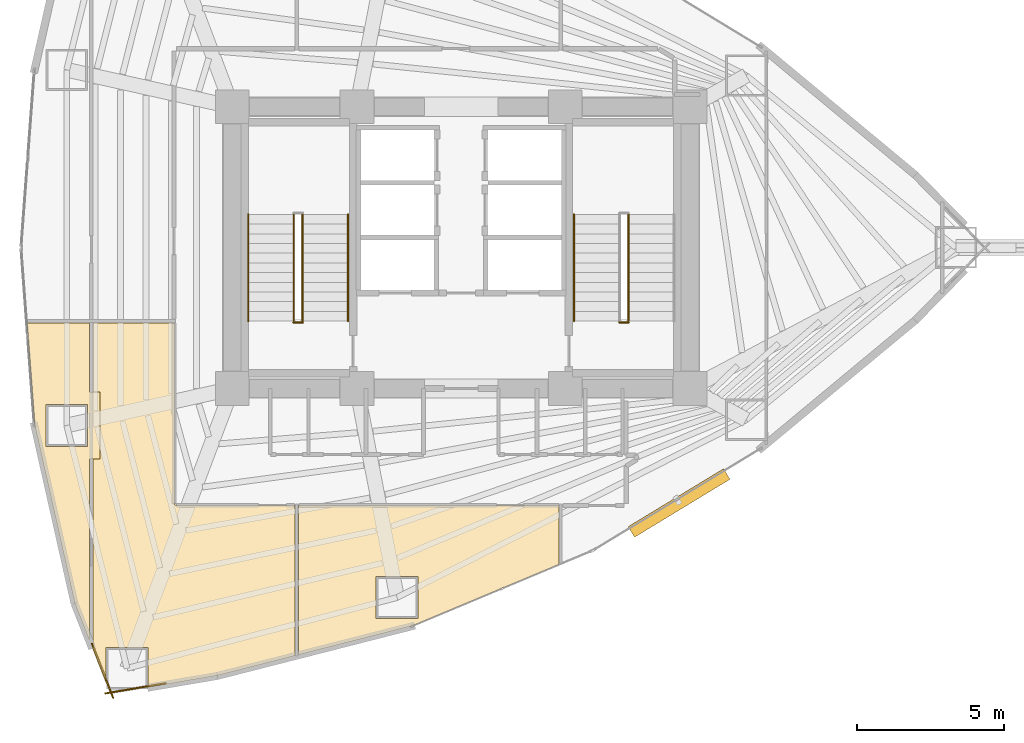
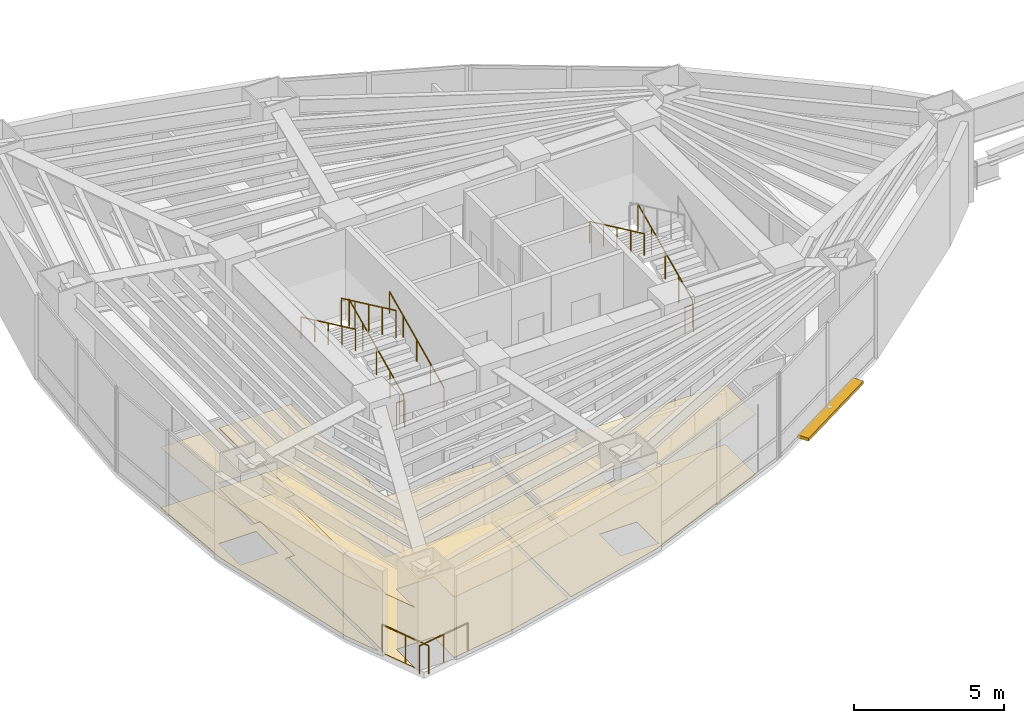
# One storey, part 17 of 18: 10 railings, 6 coverings, 1 shading device.
"""IFC4 building model written with IfcOpenShell, lengths in metres."""

from ifc_helpers import new_model, si_unit, direction, frame, origin, origin_2d, place, context, subcontext, project, spatial, polyline, rectangle, circle, outline, extrude, material, layer, layer_set, type_object, element, save


model = new_model("IFC4")

# Units and contexts
model_context = context("Model", 3, precision=1e-05, world=origin(), true_north=direction((0.0, 1.0)))
body_context = subcontext(model_context, "Body", "Model", "MODEL_VIEW")
ifc_project = project(units=[si_unit("LENGTHUNIT", "METRE"), si_unit("AREAUNIT", "SQUARE_METRE"), si_unit("VOLUMEUNIT", "CUBIC_METRE"), si_unit("PLANEANGLEUNIT", "RADIAN"), si_unit("MASSUNIT", "GRAM", prefix="KILO")], contexts=[model_context])

# Site, building, storey
site_placement = place(None, origin())
site = spatial("IfcSite", under=ifc_project, at=site_placement, CompositionType="ELEMENT")
building_placement = place(site_placement, origin())
building = spatial("IfcBuilding", under=site, at=building_placement, Name="Menara Vayukalpa", CompositionType="ELEMENT")
storey_placement = place(building_placement, frame((0.0, 0.0, 53.639892578125)))
storey = spatial("IfcBuildingStorey", under=building, at=storey_placement, Name="L12", CompositionType="ELEMENT", Elevation=53.639892578125)

# Coverings
ifc_material_1 = material(Name="Mineral Fibre Acoustic Ceiling Tile", Category="masonry")
ifc_layer_1 = layer(ifc_material_1, 0.02490234375)
ifc_layer_set_1 = layer_set([ifc_layer_1], Name="Mineral Fibre Acoustic Ceiling Tile")
covering_type_1 = type_object("IfcCoveringType", Name="COV-CLG1", PredefinedType="CEILING", material=ifc_layer_set_1)
covering_1_placement = place(storey_placement, frame((0.0, 0.0, 2.4501953125)))
element("IfcCovering", 1, at=covering_1_placement, inside=storey, type_object=covering_type_1, Name="L12 Corporate Training Classroom Acoustic Ceiling", PredefinedType="CEILING", context=body_context, shape_type="SweptSolid", body=[
    extrude(outline(polyline([(12.43701171875, 9.884521484375), (11.07421875, 15.941162109375), (11.073974609375, 15.942626953125), (10.8125, 19.42919921875), (10.8125, 19.43017578125), (10.8125, 19.43115234375), (10.812744140625, 19.43212890625), (10.81298828125, 19.43310546875), (10.813232421875, 19.43408203125), (10.813720703125, 19.434814453125), (10.814208984375, 19.435791015625), (10.814697265625, 19.436279296875), (10.8154296875, 19.43701171875), (10.816162109375, 19.437744140625), (10.81689453125, 19.4384765625), (10.81787109375, 19.43896484375), (10.818603515625, 19.439208984375), (10.819580078125, 19.439697265625), (10.820556640625, 19.439697265625), (10.821533203125, 19.43994140625), (10.822509765625, 19.43994140625), (12.929931640625, 19.43994140625), (12.930908203125, 19.43994140625), (12.931884765625, 19.439697265625), (12.932861328125, 19.439697265625), (12.933837890625, 19.439208984375), (12.934814453125, 19.438720703125), (12.935546875, 19.438232421875), (12.936279296875, 19.437744140625), (12.93701171875, 19.43701171875), (12.937744140625, 19.436279296875), (12.938232421875, 19.435546875), (12.938720703125, 19.434814453125), (12.939208984375, 19.433837890625), (12.939697265625, 19.432861328125), (12.939697265625, 19.431884765625), (12.93994140625, 19.430908203125), (12.93994140625, 19.429931640625), (12.93994140625, 17.075439453125), (13.29931640625, 17.075439453125), (13.29931640625, 14.805419921875), (12.93994140625, 14.805419921875), (12.93994140625, 8.65625), (12.93994140625, 8.6552734375), (12.939697265625, 8.654296875), (12.939697265625, 8.6533203125), (12.939208984375, 8.65234375), (12.938720703125, 8.651611328125), (12.938232421875, 8.650634765625), (12.937744140625, 8.64990234375), (12.93701171875, 8.649169921875), (12.936279296875, 8.6484375), (12.935546875, 8.64794921875), (12.9345703125, 8.6474609375), (12.933837890625, 8.64697265625), (12.932861328125, 8.646728515625), (12.931884765625, 8.646484375), (12.930908203125, 8.646240234375), (12.929931640625, 8.646240234375), (12.928955078125, 8.646484375), (12.927978515625, 8.646484375), (12.927001953125, 8.646728515625), (12.926025390625, 8.647216796875), (12.92529296875, 8.6474609375), (12.92431640625, 8.648193359375), (12.923583984375, 8.648681640625), (12.9228515625, 8.6494140625), (12.922119140625, 8.650146484375), (12.921630859375, 8.65087890625), (12.921142578125, 8.651611328125), (12.920654296875, 8.652587890625), (12.4375, 9.883056640625), (12.437255859375, 9.8837890625), (12.43701171875, 9.884521484375)]), holes=[polyline([(12.879150390625, 16.655517578125), (11.44921875, 16.655517578125), (11.44921875, 15.225341796875), (12.879150390625, 15.225341796875), (12.879150390625, 16.655517578125)])]), origin(), (0.0, 0.0, 1.0), 0.02490234375),
])
covering_2_placement = place(storey_placement, frame((0.0, 0.0, 2.4501953125)))
element("IfcCovering", 2, at=covering_2_placement, inside=storey, type_object=covering_type_1, Name="L12 Corporate Training Classroom Acoustic Ceiling", PredefinedType="CEILING", context=body_context, shape_type="SweptSolid", body=[
    extrude(outline(polyline([(13.041748046875, 8.344482421875), (13.04150390625, 8.345458984375), (13.041015625, 8.346435546875), (13.041015625, 8.347412109375), (13.041015625, 8.348388671875), (13.041015625, 8.349609375), (13.041259765625, 8.3505859375), (13.04150390625, 8.3515625), (13.0419921875, 8.352294921875), (13.04248046875, 8.353271484375), (13.04296875, 8.354248046875), (13.043701171875, 8.35498046875), (13.04638671875, 8.35791015625), (13.0498046875, 8.36279296875), (13.052978515625, 8.36767578125), (13.055419921875, 8.373046875), (13.057373046875, 8.378662109375), (13.058837890625, 8.384521484375), (13.059814453125, 8.39013671875), (13.06005859375, 8.396240234375), (13.06005859375, 14.805419921875), (11.606689453125, 14.805419921875), (11.51220703125, 15.225341796875), (12.879150390625, 15.225341796875), (12.879150390625, 16.655517578125), (11.44921875, 16.655517578125), (11.44921875, 15.5048828125), (11.341796875, 15.981689453125), (11.260009765625, 17.075439453125), (13.06005859375, 17.075439453125), (13.06005859375, 19.429931640625), (13.06005859375, 19.430908203125), (13.060302734375, 19.431884765625), (13.060302734375, 19.432861328125), (13.060791015625, 19.433837890625), (13.061279296875, 19.434814453125), (13.061767578125, 19.435546875), (13.062255859375, 19.436279296875), (13.06298828125, 19.43701171875), (13.063720703125, 19.437744140625), (13.064453125, 19.438232421875), (13.065185546875, 19.438720703125), (13.066162109375, 19.439208984375), (13.067138671875, 19.439697265625), (13.068115234375, 19.439697265625), (13.069091796875, 19.43994140625), (13.070068359375, 19.43994140625), (15.820068359375, 19.43994140625), (15.821044921875, 19.43994140625), (15.822021484375, 19.439697265625), (15.822998046875, 19.439697265625), (15.82373046875, 19.439208984375), (15.82470703125, 19.438720703125), (15.82568359375, 19.438232421875), (15.826416015625, 19.437744140625), (15.8271484375, 19.43701171875), (15.82763671875, 19.436279296875), (15.828369140625, 19.435546875), (15.828857421875, 19.434814453125), (15.8291015625, 19.433837890625), (15.82958984375, 19.432861328125), (15.829833984375, 19.431884765625), (15.830078125, 19.430908203125), (15.830078125, 19.429931640625), (15.830078125, 13.290283203125), (15.830322265625, 13.283203125), (15.831298828125, 13.2763671875), (15.8330078125, 13.269775390625), (15.835205078125, 13.26318359375), (15.838134765625, 13.257080078125), (15.841796875, 13.251220703125), (15.845947265625, 13.24560546875), (15.8505859375, 13.240478515625), (15.85546875, 13.236083984375), (15.861083984375, 13.231689453125), (15.866943359375, 13.228271484375), (15.873291015625, 13.225341796875), (15.879638671875, 13.222900390625), (15.88623046875, 13.22119140625), (15.893310546875, 13.220458984375), (15.900390625, 13.219970703125), (19.929931640625, 13.219970703125), (19.930908203125, 13.219970703125), (19.931884765625, 13.2197265625), (19.932861328125, 13.219482421875), (19.933837890625, 13.21923828125), (19.934814453125, 13.21875), (19.935546875, 13.21826171875), (19.936279296875, 13.2177734375), (19.93701171875, 13.217041015625), (19.937744140625, 13.21630859375), (19.938232421875, 13.215576171875), (19.938720703125, 13.214599609375), (19.939208984375, 13.2138671875), (19.939697265625, 13.212890625), (19.939697265625, 13.2119140625), (19.93994140625, 13.2109375), (19.93994140625, 13.2099609375), (19.93994140625, 8.100341796875), (19.93994140625, 8.099365234375), (19.939697265625, 8.098388671875), (19.939453125, 8.097412109375), (19.939208984375, 8.096435546875), (19.938720703125, 8.095458984375), (19.938232421875, 8.0947265625), (19.9375, 8.093994140625), (19.93701171875, 8.093017578125), (19.93603515625, 8.092529296875), (19.935302734375, 8.091796875), (19.934326171875, 8.09130859375), (19.933349609375, 8.091064453125), (19.9326171875, 8.0908203125), (17.285888671875, 7.415771484375), (17.28515625, 7.41552734375), (14.9326171875, 7.01611328125), (14.9326171875, 8.380615234375), (13.502685546875, 8.380615234375), (13.502685546875, 7.1708984375), (13.041748046875, 8.344482421875)])), origin(), (0.0, 0.0, 1.0), 0.02490234375),
])
covering_3_placement = place(storey_placement, frame((0.0, 0.0, 2.4501953125)))
element("IfcCovering", 3, at=covering_3_placement, inside=storey, type_object=covering_type_1, Name="L12 Corporate Training Classroom Acoustic Ceiling", PredefinedType="CEILING", context=body_context, shape_type="SweptSolid", body=[
    extrude(outline(polyline([(20.072509765625, 8.12646484375), (20.071533203125, 8.126220703125), (20.070556640625, 8.126220703125), (20.069580078125, 8.126220703125), (20.068603515625, 8.126220703125), (20.067626953125, 8.12646484375), (20.06689453125, 8.126708984375), (20.06591796875, 8.126953125), (20.065185546875, 8.12744140625), (20.064208984375, 8.1279296875), (20.0634765625, 8.12841796875), (20.062744140625, 8.129150390625), (20.062255859375, 8.1298828125), (20.0615234375, 8.130615234375), (20.06103515625, 8.131591796875), (20.060791015625, 8.13232421875), (20.060302734375, 8.13330078125), (20.060302734375, 8.13427734375), (20.06005859375, 8.135009765625), (20.06005859375, 8.135986328125), (20.06005859375, 13.2099609375), (20.06005859375, 13.2109375), (20.060302734375, 13.2119140625), (20.060302734375, 13.212890625), (20.060791015625, 13.2138671875), (20.061279296875, 13.214599609375), (20.061767578125, 13.215576171875), (20.062255859375, 13.21630859375), (20.06298828125, 13.217041015625), (20.063720703125, 13.2177734375), (20.064453125, 13.21826171875), (20.065185546875, 13.21875), (20.066162109375, 13.21923828125), (20.067138671875, 13.219482421875), (20.068115234375, 13.2197265625), (20.069091796875, 13.219970703125), (20.070068359375, 13.219970703125), (28.929931640625, 13.219970703125), (28.930908203125, 13.219970703125), (28.931884765625, 13.2197265625), (28.932861328125, 13.219482421875), (28.933837890625, 13.21923828125), (28.934814453125, 13.21875), (28.935546875, 13.21826171875), (28.936279296875, 13.2177734375), (28.93701171875, 13.217041015625), (28.937744140625, 13.21630859375), (28.938232421875, 13.215576171875), (28.938720703125, 13.214599609375), (28.939208984375, 13.2138671875), (28.939697265625, 13.212890625), (28.939697265625, 13.2119140625), (28.93994140625, 13.2109375), (28.93994140625, 13.2099609375), (28.93994140625, 11.21484375), (28.93994140625, 11.2138671875), (28.939697265625, 11.212890625), (28.939697265625, 11.2119140625), (28.939208984375, 11.211181640625), (28.938720703125, 11.210205078125), (28.938232421875, 11.20947265625), (28.937744140625, 11.20849609375), (28.93701171875, 11.207763671875), (28.936279296875, 11.207275390625), (28.935546875, 11.20654296875), (28.934814453125, 11.2060546875), (28.933837890625, 11.205810546875), (23.916015625, 9.106689453125), (23.914794921875, 9.106201171875), (20.072509765625, 8.12646484375)]), holes=[polyline([(24.134521484375, 10.792236328125), (22.704345703125, 10.792236328125), (22.704345703125, 9.3623046875), (24.134521484375, 9.3623046875), (24.134521484375, 10.792236328125)])]), origin(), (0.0, 0.0, 1.0), 0.02490234375),
])
ifc_material_2 = material(Name="Porcelain Stoneware Floor Tile", Category="masonry")
ifc_layer_2 = layer(ifc_material_2, 0.02001953125)
ifc_layer_set_2 = layer_set([ifc_layer_2], Name="Porcelain Stoneware Floor Tile")
covering_type_2 = type_object("IfcCoveringType", Name="COV-FLR1", PredefinedType="FLOORING", material=ifc_layer_set_2)
covering_4_placement = place(storey_placement, origin())
element("IfcCovering", 4, at=covering_4_placement, inside=storey, type_object=covering_type_2, Name="L12 Corporate Training Classroom Porcelain Flooring", PredefinedType="FLOORING", context=body_context, shape_type="SweptSolid", body=[
    extrude(outline(polyline([(12.43701171875, 9.884521484375), (11.07421875, 15.941162109375), (11.073974609375, 15.942626953125), (10.8125, 19.42919921875), (10.8125, 19.43017578125), (10.8125, 19.43115234375), (10.812744140625, 19.43212890625), (10.81298828125, 19.43310546875), (10.813232421875, 19.43408203125), (10.813720703125, 19.434814453125), (10.814208984375, 19.435791015625), (10.814697265625, 19.436279296875), (10.8154296875, 19.43701171875), (10.816162109375, 19.437744140625), (10.81689453125, 19.4384765625), (10.81787109375, 19.43896484375), (10.818603515625, 19.439208984375), (10.819580078125, 19.439697265625), (10.820556640625, 19.439697265625), (10.821533203125, 19.43994140625), (10.822509765625, 19.43994140625), (12.929931640625, 19.43994140625), (12.930908203125, 19.43994140625), (12.931884765625, 19.439697265625), (12.932861328125, 19.439697265625), (12.933837890625, 19.439208984375), (12.934814453125, 19.438720703125), (12.935546875, 19.438232421875), (12.936279296875, 19.437744140625), (12.93701171875, 19.43701171875), (12.937744140625, 19.436279296875), (12.938232421875, 19.435546875), (12.938720703125, 19.434814453125), (12.939208984375, 19.433837890625), (12.939697265625, 19.432861328125), (12.939697265625, 19.431884765625), (12.93994140625, 19.430908203125), (12.93994140625, 19.429931640625), (12.93994140625, 17.075439453125), (13.29931640625, 17.075439453125), (13.29931640625, 14.805419921875), (12.93994140625, 14.805419921875), (12.93994140625, 8.65625), (12.93994140625, 8.6552734375), (12.939697265625, 8.654296875), (12.939697265625, 8.6533203125), (12.939208984375, 8.65234375), (12.938720703125, 8.651611328125), (12.938232421875, 8.650634765625), (12.937744140625, 8.64990234375), (12.93701171875, 8.649169921875), (12.936279296875, 8.6484375), (12.935546875, 8.64794921875), (12.9345703125, 8.6474609375), (12.933837890625, 8.64697265625), (12.932861328125, 8.646728515625), (12.931884765625, 8.646484375), (12.930908203125, 8.646240234375), (12.929931640625, 8.646240234375), (12.928955078125, 8.646484375), (12.927978515625, 8.646484375), (12.927001953125, 8.646728515625), (12.926025390625, 8.647216796875), (12.92529296875, 8.6474609375), (12.92431640625, 8.648193359375), (12.923583984375, 8.648681640625), (12.9228515625, 8.6494140625), (12.922119140625, 8.650146484375), (12.921630859375, 8.65087890625), (12.921142578125, 8.651611328125), (12.920654296875, 8.652587890625), (12.4375, 9.883056640625), (12.437255859375, 9.8837890625), (12.43701171875, 9.884521484375)]), holes=[polyline([(12.879150390625, 16.655517578125), (11.44921875, 16.655517578125), (11.44921875, 15.225341796875), (12.879150390625, 15.225341796875), (12.879150390625, 16.655517578125)])]), origin(), (0.0, 0.0, 1.0), 0.02001953125),
])
covering_5_placement = place(storey_placement, origin())
element("IfcCovering", 5, at=covering_5_placement, inside=storey, type_object=covering_type_2, Name="L12 Corporate Training Classroom Porcelain Flooring", PredefinedType="FLOORING", context=body_context, shape_type="SweptSolid", body=[
    extrude(outline(polyline([(13.041748046875, 8.344482421875), (13.04150390625, 8.345458984375), (13.041015625, 8.346435546875), (13.041015625, 8.347412109375), (13.041015625, 8.348388671875), (13.041015625, 8.349609375), (13.041259765625, 8.3505859375), (13.04150390625, 8.3515625), (13.0419921875, 8.352294921875), (13.04248046875, 8.353271484375), (13.04296875, 8.354248046875), (13.043701171875, 8.35498046875), (13.04638671875, 8.35791015625), (13.0498046875, 8.36279296875), (13.052978515625, 8.36767578125), (13.055419921875, 8.373046875), (13.057373046875, 8.378662109375), (13.058837890625, 8.384521484375), (13.059814453125, 8.39013671875), (13.06005859375, 8.396240234375), (13.06005859375, 14.805419921875), (11.606689453125, 14.805419921875), (11.51220703125, 15.225341796875), (12.879150390625, 15.225341796875), (12.879150390625, 16.655517578125), (11.44921875, 16.655517578125), (11.44921875, 15.5048828125), (11.341796875, 15.981689453125), (11.260009765625, 17.075439453125), (13.06005859375, 17.075439453125), (13.06005859375, 19.429931640625), (13.06005859375, 19.430908203125), (13.060302734375, 19.431884765625), (13.060302734375, 19.432861328125), (13.060791015625, 19.433837890625), (13.061279296875, 19.434814453125), (13.061767578125, 19.435546875), (13.062255859375, 19.436279296875), (13.06298828125, 19.43701171875), (13.063720703125, 19.437744140625), (13.064453125, 19.438232421875), (13.065185546875, 19.438720703125), (13.066162109375, 19.439208984375), (13.067138671875, 19.439697265625), (13.068115234375, 19.439697265625), (13.069091796875, 19.43994140625), (13.070068359375, 19.43994140625), (15.820068359375, 19.43994140625), (15.821044921875, 19.43994140625), (15.822021484375, 19.439697265625), (15.822998046875, 19.439697265625), (15.82373046875, 19.439208984375), (15.82470703125, 19.438720703125), (15.82568359375, 19.438232421875), (15.826416015625, 19.437744140625), (15.8271484375, 19.43701171875), (15.82763671875, 19.436279296875), (15.828369140625, 19.435546875), (15.828857421875, 19.434814453125), (15.8291015625, 19.433837890625), (15.82958984375, 19.432861328125), (15.829833984375, 19.431884765625), (15.830078125, 19.430908203125), (15.830078125, 19.429931640625), (15.830078125, 13.290283203125), (15.830322265625, 13.283203125), (15.831298828125, 13.2763671875), (15.8330078125, 13.269775390625), (15.835205078125, 13.26318359375), (15.838134765625, 13.257080078125), (15.841796875, 13.251220703125), (15.845947265625, 13.24560546875), (15.8505859375, 13.240478515625), (15.85546875, 13.236083984375), (15.861083984375, 13.231689453125), (15.866943359375, 13.228271484375), (15.873291015625, 13.225341796875), (15.879638671875, 13.222900390625), (15.88623046875, 13.22119140625), (15.893310546875, 13.220458984375), (15.900390625, 13.219970703125), (19.929931640625, 13.219970703125), (19.930908203125, 13.219970703125), (19.931884765625, 13.2197265625), (19.932861328125, 13.219482421875), (19.933837890625, 13.21923828125), (19.934814453125, 13.21875), (19.935546875, 13.21826171875), (19.936279296875, 13.2177734375), (19.93701171875, 13.217041015625), (19.937744140625, 13.21630859375), (19.938232421875, 13.215576171875), (19.938720703125, 13.214599609375), (19.939208984375, 13.2138671875), (19.939697265625, 13.212890625), (19.939697265625, 13.2119140625), (19.93994140625, 13.2109375), (19.93994140625, 13.2099609375), (19.93994140625, 8.100341796875), (19.93994140625, 8.099365234375), (19.939697265625, 8.098388671875), (19.939453125, 8.097412109375), (19.939208984375, 8.096435546875), (19.938720703125, 8.095458984375), (19.938232421875, 8.0947265625), (19.9375, 8.093994140625), (19.93701171875, 8.093017578125), (19.93603515625, 8.092529296875), (19.935302734375, 8.091796875), (19.934326171875, 8.09130859375), (19.933349609375, 8.091064453125), (19.9326171875, 8.0908203125), (17.285888671875, 7.415771484375), (17.28515625, 7.41552734375), (14.9326171875, 7.01611328125), (14.9326171875, 8.380615234375), (13.502685546875, 8.380615234375), (13.502685546875, 7.1708984375), (13.041748046875, 8.344482421875)])), origin(), (0.0, 0.0, 1.0), 0.02001953125),
])
covering_6_placement = place(storey_placement, origin())
element("IfcCovering", 6, at=covering_6_placement, inside=storey, type_object=covering_type_2, Name="L12 Corporate Training Classroom Porcelain Flooring", PredefinedType="FLOORING", context=body_context, shape_type="SweptSolid", body=[
    extrude(outline(polyline([(20.072509765625, 8.12646484375), (20.071533203125, 8.126220703125), (20.070556640625, 8.126220703125), (20.069580078125, 8.126220703125), (20.068603515625, 8.126220703125), (20.067626953125, 8.12646484375), (20.06689453125, 8.126708984375), (20.06591796875, 8.126953125), (20.065185546875, 8.12744140625), (20.064208984375, 8.1279296875), (20.0634765625, 8.12841796875), (20.062744140625, 8.129150390625), (20.062255859375, 8.1298828125), (20.0615234375, 8.130615234375), (20.06103515625, 8.131591796875), (20.060791015625, 8.13232421875), (20.060302734375, 8.13330078125), (20.060302734375, 8.13427734375), (20.06005859375, 8.135009765625), (20.06005859375, 8.135986328125), (20.06005859375, 13.2099609375), (20.06005859375, 13.2109375), (20.060302734375, 13.2119140625), (20.060302734375, 13.212890625), (20.060791015625, 13.2138671875), (20.061279296875, 13.214599609375), (20.061767578125, 13.215576171875), (20.062255859375, 13.21630859375), (20.06298828125, 13.217041015625), (20.063720703125, 13.2177734375), (20.064453125, 13.21826171875), (20.065185546875, 13.21875), (20.066162109375, 13.21923828125), (20.067138671875, 13.219482421875), (20.068115234375, 13.2197265625), (20.069091796875, 13.219970703125), (20.070068359375, 13.219970703125), (28.929931640625, 13.219970703125), (28.930908203125, 13.219970703125), (28.931884765625, 13.2197265625), (28.932861328125, 13.219482421875), (28.933837890625, 13.21923828125), (28.934814453125, 13.21875), (28.935546875, 13.21826171875), (28.936279296875, 13.2177734375), (28.93701171875, 13.217041015625), (28.937744140625, 13.21630859375), (28.938232421875, 13.215576171875), (28.938720703125, 13.214599609375), (28.939208984375, 13.2138671875), (28.939697265625, 13.212890625), (28.939697265625, 13.2119140625), (28.93994140625, 13.2109375), (28.93994140625, 13.2099609375), (28.93994140625, 11.21484375), (28.93994140625, 11.2138671875), (28.939697265625, 11.212890625), (28.939697265625, 11.2119140625), (28.939208984375, 11.211181640625), (28.938720703125, 11.210205078125), (28.938232421875, 11.20947265625), (28.937744140625, 11.20849609375), (28.93701171875, 11.207763671875), (28.936279296875, 11.207275390625), (28.935546875, 11.20654296875), (28.934814453125, 11.2060546875), (28.933837890625, 11.205810546875), (23.916015625, 9.106689453125), (23.914794921875, 9.106201171875), (20.072509765625, 8.12646484375)]), holes=[polyline([(24.134521484375, 10.792236328125), (22.704345703125, 10.792236328125), (22.704345703125, 9.3623046875), (24.134521484375, 9.3623046875), (24.134521484375, 10.792236328125)])]), origin(), (0.0, 0.0, 1.0), 0.02001953125),
])

# Railings
ifc_material_3 = material(Name="Laminated Glass and Stainless Steel 316 Guardrail", Category="steel")
railing_type_1 = type_object("IfcRailingType", Name="RLG-EXT115", PredefinedType="GUARDRAIL", material=ifc_material_3)
railing_1_placement = place(storey_placement, frame((13.02099609375, 8.50634765625, 0.0)))
element("IfcRailing", 7, at=railing_1_placement, inside=storey, type_object=railing_type_1, Name="L12 Column Corner Spandrel Guardrail 13-1", PredefinedType="GUARDRAIL", context=body_context, shape_type="SweptSolid", body=[
    extrude(circle(Radius=0.02392578125, at=origin_2d()), frame((0.0, 0.0, 1.1259765625), z_axis=(0.365580158762, -0.930779859859, 0.0), x_axis=(0.930779859859, 0.365580158762, 0.0)), (0.0, 0.0, 1.0), 1.9873046875),
    extrude(circle(Radius=0.02099609375, at=origin_2d()), origin(), (0.0, 0.0, 1.0), 1.101806640625),
    extrude(circle(Radius=0.02099609375, at=origin_2d()), frame((0.36328125, -0.9248046875, 0.0)), (0.0, 0.0, 1.0), 1.101806640625),
    extrude(circle(Radius=0.02099609375, at=origin_2d()), frame((0.7265625, -1.849853515625, 0.0)), (0.0, 0.0, 1.0), 1.101806640625),
])
railing_2_placement = place(storey_placement, frame((13.4765625, 6.8095703125, 0.0)))
element("IfcRailing", 8, at=railing_2_placement, inside=storey, type_object=railing_type_1, Name="L12 Column Corner Spandrel Guardrail 14-1", PredefinedType="GUARDRAIL", context=body_context, shape_type="SweptSolid", body=[
    extrude(circle(Radius=0.02392578125, at=origin_2d()), frame((0.0, 0.0, 1.1259765625), z_axis=(0.985904350491, 0.167309927029, 0.0), x_axis=(-0.167309927029, 0.985904350491, 0.0)), (0.0, 0.0, 1.0), 2.093994140625),
    extrude(circle(Radius=0.02099609375, at=origin_2d()), origin(), (0.0, 0.0, 1.0), 1.101806640625),
    extrude(circle(Radius=0.02099609375, at=origin_2d()), frame((1.0322265625, 0.17529296875, 0.0)), (0.0, 0.0, 1.0), 1.101806640625),
    extrude(circle(Radius=0.02099609375, at=origin_2d()), frame((2.064453125, 0.350341796875, 0.0)), (0.0, 0.0, 1.0), 1.101806640625),
])
ifc_material_4 = material(Name="Powder-Coated Galvanised Steel Guardrail", Category="steel")
railing_type_2 = type_object("IfcRailingType", Name="RLG-STG110", PredefinedType="GUARDRAIL", material=ifc_material_4)
railing_3_placement = place(storey_placement, frame((20.199951171875, 19.5, 0.155029296875)))
element("IfcRailing", 9, at=railing_3_placement, inside=storey, type_object=railing_type_2, Name="L12 ST-1 stair guard 1", PredefinedType="GUARDRAIL", context=body_context, shape_type="SweptSolid", body=[
    extrude(circle(Radius=0.02392578125, at=origin_2d()), frame((0.0, 0.0, 1.09619140625), z_axis=(0.0, 0.90511648382, 0.425163675209), x_axis=(-1.0, 0.0, 0.0)), (0.0, 0.0, 1.0), 4.010498046875),
    extrude(circle(Radius=0.02099609375, at=origin_2d()), origin(), (0.0, 0.0, 1.0), 1.072021484375),
    extrude(circle(Radius=0.02099609375, at=origin_2d()), frame((0.0, 0.907470703125, 0.42626953125)), (0.0, 0.0, 1.0), 1.072021484375),
    extrude(circle(Radius=0.02099609375, at=origin_2d()), frame((0.0, 1.81494140625, 0.8525390625)), (0.0, 0.0, 1.0), 1.072021484375),
    extrude(circle(Radius=0.02099609375, at=origin_2d()), frame((0.0, 2.722412109375, 1.27880859375)), (0.0, 0.0, 1.0), 1.072021484375),
    extrude(circle(Radius=0.02099609375, at=origin_2d()), frame((0.0, 3.6298828125, 1.705078125)), (0.0, 0.0, 1.0), 1.072021484375),
])
railing_4_placement = place(storey_placement, frame((19.89990234375, 23.1298828125, 2.01513671875)))
element("IfcRailing", 10, at=railing_4_placement, inside=storey, type_object=railing_type_2, Name="L12 ST-1 stair guard 3", PredefinedType="GUARDRAIL", context=body_context, shape_type="SweptSolid", body=[
    extrude(circle(Radius=0.02392578125, at=origin_2d()), frame((0.0, 0.0, 1.09619140625), z_axis=(0.0, -0.90511648382, 0.425163675209), x_axis=(1.0, 0.0, 0.0)), (0.0, 0.0, 1.0), 4.010498046875),
    extrude(circle(Radius=0.02099609375, at=origin_2d()), origin(), (0.0, 0.0, 1.0), 1.072021484375),
    extrude(circle(Radius=0.02099609375, at=origin_2d()), frame((0.0, -0.907470703125, 0.42626953125)), (0.0, 0.0, 1.0), 1.072021484375),
    extrude(circle(Radius=0.02099609375, at=origin_2d()), frame((0.0, -1.81494140625, 0.8525390625)), (0.0, 0.0, 1.0), 1.072021484375),
    extrude(circle(Radius=0.02099609375, at=origin_2d()), frame((0.0, -2.722412109375, 1.27880859375)), (0.0, 0.0, 1.0), 1.072021484375),
    extrude(circle(Radius=0.02099609375, at=origin_2d()), frame((0.0, -3.6298828125, 1.705078125)), (0.0, 0.0, 1.0), 1.072021484375),
])
railing_5_placement = place(storey_placement, frame((20.2099609375, 19.449951171875, 0.0)))
element("IfcRailing", 11, at=railing_5_placement, inside=storey, type_object=railing_type_2, Name="L12 ST-1 stair guard 4", PredefinedType="GUARDRAIL", context=body_context, shape_type="SweptSolid", body=[
    extrude(circle(Radius=0.02392578125, at=origin_2d()), frame((0.0, 0.0, 1.09619140625), z_axis=(-1.0, 0.0, 0.0), x_axis=(0.0, -1.0, 0.0)), (0.0, 0.0, 1.0), 0.320068359375),
    extrude(circle(Radius=0.02099609375, at=origin_2d()), origin(), (0.0, 0.0, 1.0), 1.072021484375),
    extrude(circle(Radius=0.02099609375, at=origin_2d()), frame((-0.320068359375, 0.0, 0.0)), (0.0, 0.0, 1.0), 1.072021484375),
])
railing_6_placement = place(storey_placement, frame((31.300048828125, 19.5, 0.155029296875)))
element("IfcRailing", 12, at=railing_6_placement, inside=storey, type_object=railing_type_2, Name="L12 ST-2 stair guard 1", PredefinedType="GUARDRAIL", context=body_context, shape_type="SweptSolid", body=[
    extrude(circle(Radius=0.02392578125, at=origin_2d()), frame((0.0, 0.0, 1.09619140625), z_axis=(0.0, 0.90511648382, 0.425163675209), x_axis=(-1.0, 0.0, 0.0)), (0.0, 0.0, 1.0), 4.010498046875),
    extrude(circle(Radius=0.02099609375, at=origin_2d()), origin(), (0.0, 0.0, 1.0), 1.072021484375),
    extrude(circle(Radius=0.02099609375, at=origin_2d()), frame((0.0, 0.907470703125, 0.42626953125)), (0.0, 0.0, 1.0), 1.072021484375),
    extrude(circle(Radius=0.02099609375, at=origin_2d()), frame((0.0, 1.81494140625, 0.8525390625)), (0.0, 0.0, 1.0), 1.072021484375),
    extrude(circle(Radius=0.02099609375, at=origin_2d()), frame((0.0, 2.722412109375, 1.27880859375)), (0.0, 0.0, 1.0), 1.072021484375),
    extrude(circle(Radius=0.02099609375, at=origin_2d()), frame((0.0, 3.6298828125, 1.705078125)), (0.0, 0.0, 1.0), 1.072021484375),
])
railing_7_placement = place(storey_placement, frame((31.31005859375, 19.449951171875, 0.0)))
element("IfcRailing", 13, at=railing_7_placement, inside=storey, type_object=railing_type_2, Name="L12 ST-2 stair guard 4", PredefinedType="GUARDRAIL", context=body_context, shape_type="SweptSolid", body=[
    extrude(circle(Radius=0.02392578125, at=origin_2d()), frame((0.0, 0.0, 1.09619140625), z_axis=(-1.0, 0.0, 0.0), x_axis=(0.0, -1.0, 0.0)), (0.0, 0.0, 1.0), 0.320068359375),
    extrude(circle(Radius=0.02099609375, at=origin_2d()), origin(), (0.0, 0.0, 1.0), 1.072021484375),
    extrude(circle(Radius=0.02099609375, at=origin_2d()), frame((-0.320068359375, 0.0, 0.0)), (0.0, 0.0, 1.0), 1.072021484375),
])
ifc_material_5 = material(Name="Stainless Steel 316 Tubular Handrail", Category="steel")
railing_type_3 = type_object("IfcRailingType", Name="RLG-STH090", PredefinedType="HANDRAIL", material=ifc_material_5)
railing_8_placement = place(storey_placement, frame((21.75, 19.5, 0.155029296875)))
element("IfcRailing", 14, at=railing_8_placement, inside=storey, type_object=railing_type_3, Name="L12 ST-1 stair handrail 1", PredefinedType="HANDRAIL", context=body_context, shape_type="SweptSolid", body=[
    extrude(circle(Radius=0.02392578125, at=origin_2d()), frame((0.0, 0.0, 0.8759765625), z_axis=(0.0, 0.90511648382, 0.425163675209), x_axis=(-1.0, 0.0, 0.0)), (0.0, 0.0, 1.0), 4.010498046875),
    extrude(circle(Radius=0.02099609375, at=origin_2d()), origin(), (0.0, 0.0, 1.0), 0.851806640625),
    extrude(circle(Radius=0.02099609375, at=origin_2d()), frame((0.0, 0.907470703125, 0.42626953125)), (0.0, 0.0, 1.0), 0.851806640625),
    extrude(circle(Radius=0.02099609375, at=origin_2d()), frame((0.0, 1.81494140625, 0.8525390625)), (0.0, 0.0, 1.0), 0.851806640625),
    extrude(circle(Radius=0.02099609375, at=origin_2d()), frame((0.0, 2.722412109375, 1.27880859375)), (0.0, 0.0, 1.0), 0.851806640625),
    extrude(circle(Radius=0.02099609375, at=origin_2d()), frame((0.0, 3.6298828125, 1.705078125)), (0.0, 0.0, 1.0), 0.851806640625),
])
for number, where, name in (
    (15, (18.35009765625, 23.1298828125, 2.01513671875), "L12 ST-1 stair handrail 2"),
    (16, (29.449951171875, 23.1298828125, 2.01513671875), "L12 ST-2 stair handrail 2"),
):
    element("IfcRailing", number, at=place(storey_placement, frame(where)), inside=storey, type_object=railing_type_3, Name=name, PredefinedType="HANDRAIL", context=body_context, shape_type="SweptSolid", body=[
        extrude(circle(Radius=0.02392578125, at=origin_2d()), frame((0.0, 0.0, 0.8759765625), z_axis=(0.0, -0.90511648382, 0.425163675209), x_axis=(1.0, 0.0, 0.0)), (0.0, 0.0, 1.0), 4.010498046875),
        extrude(circle(Radius=0.02099609375, at=origin_2d()), origin(), (0.0, 0.0, 1.0), 0.851806640625),
        extrude(circle(Radius=0.02099609375, at=origin_2d()), frame((0.0, -0.907470703125, 0.42626953125)), (0.0, 0.0, 1.0), 0.851806640625),
        extrude(circle(Radius=0.02099609375, at=origin_2d()), frame((0.0, -1.81494140625, 0.8525390625)), (0.0, 0.0, 1.0), 0.851806640625),
        extrude(circle(Radius=0.02099609375, at=origin_2d()), frame((0.0, -2.722412109375, 1.27880859375)), (0.0, 0.0, 1.0), 0.851806640625),
        extrude(circle(Radius=0.02099609375, at=origin_2d()), frame((0.0, -3.6298828125, 1.705078125)), (0.0, 0.0, 1.0), 0.851806640625),
    ])

# Shading device
ifc_material_6 = material(Name="Glazed Terracotta Ceramic Baguette Extrusion", Category="masonry")
ifc_layer_3 = layer(ifc_material_6, 0.1201171875)
ifc_layer_set_3 = layer_set([ifc_layer_3], Name="Glazed Terracotta Ceramic Baguette Extrusion")
shading_device_type = type_object("IfcShadingDeviceType", Name="SHD-SS1", PredefinedType="USERDEFINED", material=ifc_layer_set_3)
shading_device_placement = place(storey_placement, frame((33.02880859375, 13.298828125, -0.099853515625), z_axis=(0.0, 0.0, 1.0), x_axis=(0.85466730962, 0.519176068272, 0.0)))
element("IfcShadingDevice", 17, at=shading_device_placement, inside=storey, type_object=shading_device_type, Name="L12 Horizontal Terracotta Sunshade Band 17", ObjectType="SUNSHADE", PredefinedType="USERDEFINED", context=body_context, shape_type="SweptSolid", body=[
    extrude(rectangle(XDim=3.800048828125, YDim=0.419921875, at=origin_2d()), origin(), (0.0, 0.0, 1.0), 0.1201171875),
])

save(model, "model.ifc")
